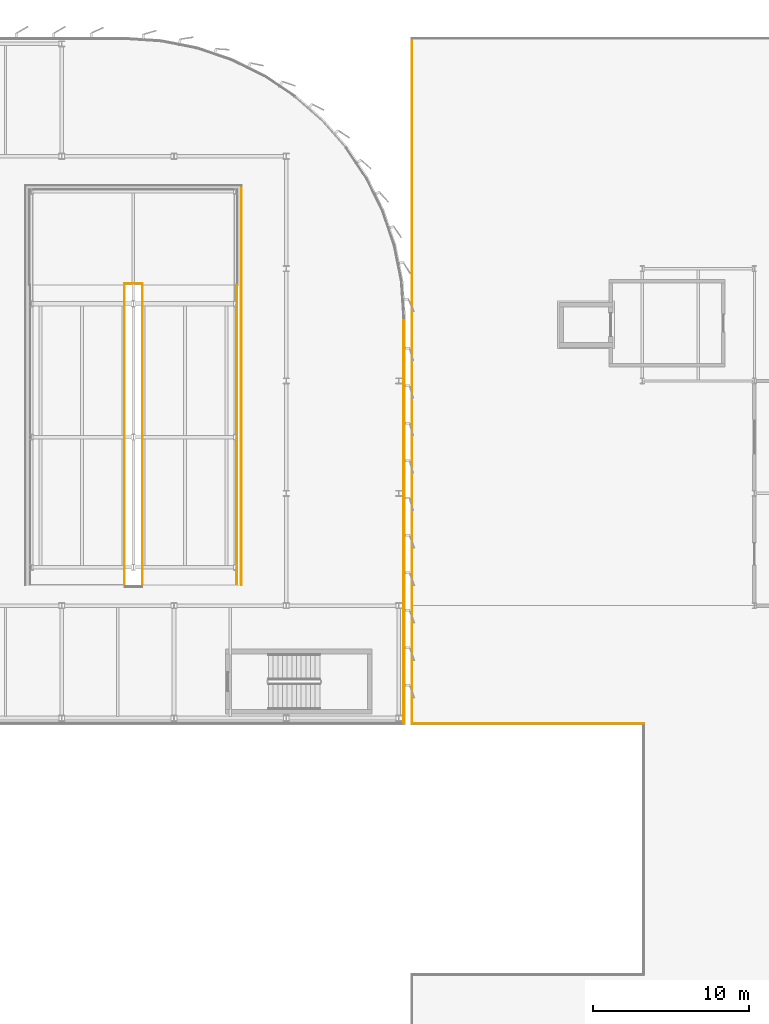
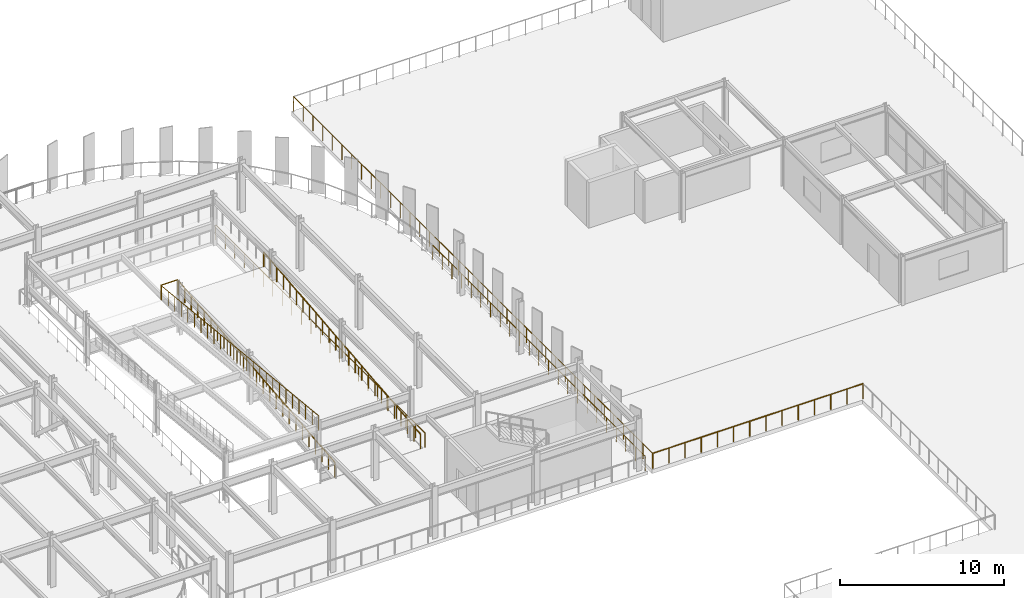
# One storey, part 51 of 52: 17 railings.
"""IFC4 building model written with IfcOpenShell, lengths in metres."""

from ifc_helpers import new_model, si_unit, direction, frame, origin, origin_2d, place, context, subcontext, project, spatial, circle, extrude, material, layer, layer_set, type_object, element, save


model = new_model("IFC4")

# Units and contexts
model_context = context("Model", 3, precision=1e-05, world=origin(), true_north=direction((0.0, 1.0)))
body_context = subcontext(model_context, "Body", "Model", "MODEL_VIEW")
ifc_project = project(units=[si_unit("LENGTHUNIT", "METRE"), si_unit("AREAUNIT", "SQUARE_METRE"), si_unit("VOLUMEUNIT", "CUBIC_METRE"), si_unit("PLANEANGLEUNIT", "RADIAN"), si_unit("MASSUNIT", "GRAM", prefix="KILO")], contexts=[model_context])

# Site, building, storey
site_placement = place(None, origin())
site = spatial("IfcSite", under=ifc_project, at=site_placement, CompositionType="ELEMENT")
building_placement = place(site_placement, origin())
building = spatial("IfcBuilding", under=site, at=building_placement, Name="Vaelcorin Mobility Hub", CompositionType="ELEMENT")
storey_placement = place(building_placement, frame((0.0, 0.0, 13.199951171875)))
storey = spatial("IfcBuildingStorey", under=building, at=storey_placement, Name="L03", CompositionType="ELEMENT", Elevation=13.199951171875)

# Railings
ifc_material_1 = material(Name="Galvanised structural steel ASTM A36", Category="steel")
ifc_layer_1 = layer(ifc_material_1, 0.070068359375)
ifc_layer_set_1 = layer_set([ifc_layer_1], Name="Galvanised structural steel ASTM A36")
railing_type_1 = type_object("IfcRailingType", Name="RL-GUARD-1100", PredefinedType="BALUSTRADE", material=ifc_layer_set_1)
railing_1_placement = place(storey_placement, frame((142.320068359375, 110.919921875, 0.0)))
element("IfcRailing", 1, at=railing_1_placement, inside=storey, type_object=railing_type_1, Name="L03 Perimeter Guard GR-V2E-L03-WELL-03", PredefinedType="BALUSTRADE", context=body_context, shape_type="SweptSolid", body=[
    extrude(circle(Radius=0.02392578125, at=origin_2d()), frame((0.0, 0.0, 1.076171875), z_axis=(0.0, -1.0, 0.0), x_axis=(1.0, 0.0, 0.0)), (0.0, 0.0, 1.0), 25.579833984375),
    extrude(circle(Radius=0.02099609375, at=origin_2d()), origin(), (0.0, 0.0, 1.0), 1.052001953125),
    extrude(circle(Radius=0.02099609375, at=origin_2d()), frame((0.0, -1.16259765625, 0.0)), (0.0, 0.0, 1.0), 1.052001953125),
    extrude(circle(Radius=0.02099609375, at=origin_2d()), frame((0.0, -2.325439453125, 0.0)), (0.0, 0.0, 1.0), 1.052001953125),
    extrude(circle(Radius=0.02099609375, at=origin_2d()), frame((0.0, -3.488037109375, 0.0)), (0.0, 0.0, 1.0), 1.052001953125),
    extrude(circle(Radius=0.02099609375, at=origin_2d()), frame((0.0, -4.65087890625, 0.0)), (0.0, 0.0, 1.0), 1.052001953125),
    extrude(circle(Radius=0.02099609375, at=origin_2d()), frame((0.0, -5.8134765625, 0.0)), (0.0, 0.0, 1.0), 1.052001953125),
    extrude(circle(Radius=0.02099609375, at=origin_2d()), frame((0.0, -6.976318359375, 0.0)), (0.0, 0.0, 1.0), 1.052001953125),
    extrude(circle(Radius=0.02099609375, at=origin_2d()), frame((0.0, -8.13916015625, 0.0)), (0.0, 0.0, 1.0), 1.052001953125),
    extrude(circle(Radius=0.02099609375, at=origin_2d()), frame((0.0, -9.3017578125, 0.0)), (0.0, 0.0, 1.0), 1.052001953125),
    extrude(circle(Radius=0.02099609375, at=origin_2d()), frame((0.0, -10.46435546875, 0.0)), (0.0, 0.0, 1.0), 1.052001953125),
    extrude(circle(Radius=0.02099609375, at=origin_2d()), frame((0.0, -11.627197265625, 0.0)), (0.0, 0.0, 1.0), 1.052001953125),
    extrude(circle(Radius=0.02099609375, at=origin_2d()), frame((0.0, -12.7900390625, 0.0)), (0.0, 0.0, 1.0), 1.052001953125),
    extrude(circle(Radius=0.02099609375, at=origin_2d()), frame((0.0, -13.95263671875, 0.0)), (0.0, 0.0, 1.0), 1.052001953125),
    extrude(circle(Radius=0.02099609375, at=origin_2d()), frame((0.0, -15.115234375, 0.0)), (0.0, 0.0, 1.0), 1.052001953125),
    extrude(circle(Radius=0.02099609375, at=origin_2d()), frame((0.0, -16.278076171875, 0.0)), (0.0, 0.0, 1.0), 1.052001953125),
    extrude(circle(Radius=0.02099609375, at=origin_2d()), frame((0.0, -17.44091796875, 0.0)), (0.0, 0.0, 1.0), 1.052001953125),
    extrude(circle(Radius=0.02099609375, at=origin_2d()), frame((0.0, -18.603515625, 0.0)), (0.0, 0.0, 1.0), 1.052001953125),
    extrude(circle(Radius=0.02099609375, at=origin_2d()), frame((0.0, -19.76611328125, 0.0)), (0.0, 0.0, 1.0), 1.052001953125),
    extrude(circle(Radius=0.02099609375, at=origin_2d()), frame((0.0, -20.928955078125, 0.0)), (0.0, 0.0, 1.0), 1.052001953125),
    extrude(circle(Radius=0.02099609375, at=origin_2d()), frame((0.0, -22.091796875, 0.0)), (0.0, 0.0, 1.0), 1.052001953125),
    extrude(circle(Radius=0.02099609375, at=origin_2d()), frame((0.0, -23.25439453125, 0.0)), (0.0, 0.0, 1.0), 1.052001953125),
    extrude(circle(Radius=0.02099609375, at=origin_2d()), frame((0.0, -24.4169921875, 0.0)), (0.0, 0.0, 1.0), 1.052001953125),
    extrude(circle(Radius=0.02099609375, at=origin_2d()), frame((0.0, -25.579833984375, 0.0)), (0.0, 0.0, 1.0), 1.052001953125),
])
railing_2_placement = place(storey_placement, frame((135.97998046875, 85.360107421875, 0.0)))
element("IfcRailing", 2, at=railing_2_placement, inside=storey, type_object=railing_type_1, Name="L03 Ramp Guard GR-V2E-L03-FL1-W-01", PredefinedType="BALUSTRADE", context=body_context, shape_type="SweptSolid", body=[
    extrude(circle(Radius=0.02392578125, at=origin_2d()), frame((0.0, 0.0, 1.076171875), z_axis=(0.0, 0.994860105467, 0.10125892825), x_axis=(-1.0, 0.0, 0.0)), (0.0, 0.0, 1.0), 4.819580078125),
    extrude(circle(Radius=0.02099609375, at=origin_2d()), origin(), (0.0, 0.0, 1.0), 1.052001953125),
    extrude(circle(Radius=0.02099609375, at=origin_2d()), frame((0.0, 0.799072265625, 0.081298828125)), (0.0, 0.0, 1.0), 1.052001953125),
    extrude(circle(Radius=0.02099609375, at=origin_2d()), frame((0.0, 1.598388671875, 0.16259765625)), (0.0, 0.0, 1.0), 1.052001953125),
    extrude(circle(Radius=0.02099609375, at=origin_2d()), frame((0.0, 2.3974609375, 0.244140625)), (0.0, 0.0, 1.0), 1.052001953125),
    extrude(circle(Radius=0.02099609375, at=origin_2d()), frame((0.0, 3.196533203125, 0.325439453125)), (0.0, 0.0, 1.0), 1.052001953125),
    extrude(circle(Radius=0.02099609375, at=origin_2d()), frame((0.0, 3.995849609375, 0.40673828125)), (0.0, 0.0, 1.0), 1.052001953125),
    extrude(circle(Radius=0.02099609375, at=origin_2d()), frame((0.0, 4.794921875, 0.488037109375)), (0.0, 0.0, 1.0), 1.052001953125),
])
railing_3_placement = place(storey_placement, frame((135.97998046875, 90.155029296875, 0.488037109375)))
element("IfcRailing", 3, at=railing_3_placement, inside=storey, type_object=railing_type_1, Name="L03 Ramp Guard GR-V2E-L03-FL1-W-02", PredefinedType="BALUSTRADE", context=body_context, shape_type="SweptSolid", body=[
    extrude(circle(Radius=0.02392578125, at=origin_2d()), frame((0.0, 0.0, 1.076171875), z_axis=(0.0, 0.994880497217, 0.101058380445), x_axis=(-1.0, 0.0, 0.0)), (0.0, 0.0, 1.0), 4.819580078125),
    extrude(circle(Radius=0.02099609375, at=origin_2d()), origin(), (0.0, 0.0, 1.0), 1.052001953125),
    extrude(circle(Radius=0.02099609375, at=origin_2d()), frame((0.0, 0.799072265625, 0.0810546875)), (0.0, 0.0, 1.0), 1.052001953125),
    extrude(circle(Radius=0.02099609375, at=origin_2d()), frame((0.0, 1.598388671875, 0.162353515625)), (0.0, 0.0, 1.0), 1.052001953125),
    extrude(circle(Radius=0.02099609375, at=origin_2d()), frame((0.0, 2.3974609375, 0.24365234375)), (0.0, 0.0, 1.0), 1.052001953125),
    extrude(circle(Radius=0.02099609375, at=origin_2d()), frame((0.0, 3.196533203125, 0.32470703125)), (0.0, 0.0, 1.0), 1.052001953125),
    extrude(circle(Radius=0.02099609375, at=origin_2d()), frame((0.0, 3.995849609375, 0.40576171875)), (0.0, 0.0, 1.0), 1.052001953125),
    extrude(circle(Radius=0.02099609375, at=origin_2d()), frame((0.0, 4.794921875, 0.487060546875)), (0.0, 0.0, 1.0), 1.052001953125),
])
railing_4_placement = place(storey_placement, frame((135.97998046875, 94.949951171875, 0.97509765625)))
element("IfcRailing", 4, at=railing_4_placement, inside=storey, type_object=railing_type_1, Name="L03 Ramp Guard GR-V2E-L03-FL1-W-03", PredefinedType="BALUSTRADE", context=body_context, shape_type="SweptSolid", body=[
    extrude(circle(Radius=0.02392578125, at=origin_2d()), frame((0.0, 0.0, 1.076171875), z_axis=(0.0, 0.994881014515, 0.101053287712), x_axis=(-1.0, 0.0, 0.0)), (0.0, 0.0, 1.0), 4.81982421875),
    extrude(circle(Radius=0.02099609375, at=origin_2d()), origin(), (0.0, 0.0, 1.0), 1.052001953125),
    extrude(circle(Radius=0.02099609375, at=origin_2d()), frame((0.0, 0.79931640625, 0.0810546875)), (0.0, 0.0, 1.0), 1.052001953125),
    extrude(circle(Radius=0.02099609375, at=origin_2d()), frame((0.0, 1.598388671875, 0.162353515625)), (0.0, 0.0, 1.0), 1.052001953125),
    extrude(circle(Radius=0.02099609375, at=origin_2d()), frame((0.0, 2.3974609375, 0.24365234375)), (0.0, 0.0, 1.0), 1.052001953125),
    extrude(circle(Radius=0.02099609375, at=origin_2d()), frame((0.0, 3.19677734375, 0.32470703125)), (0.0, 0.0, 1.0), 1.052001953125),
    extrude(circle(Radius=0.02099609375, at=origin_2d()), frame((0.0, 3.99609375, 0.40576171875)), (0.0, 0.0, 1.0), 1.052001953125),
    extrude(circle(Radius=0.02099609375, at=origin_2d()), frame((0.0, 4.795166015625, 0.487060546875)), (0.0, 0.0, 1.0), 1.052001953125),
])
railing_5_placement = place(storey_placement, frame((135.97998046875, 99.7451171875, 1.462158203125)))
element("IfcRailing", 5, at=railing_5_placement, inside=storey, type_object=railing_type_1, Name="L03 Ramp Guard GR-V2E-L03-FL1-W-04", PredefinedType="BALUSTRADE", context=body_context, shape_type="SweptSolid", body=[
    extrude(circle(Radius=0.02392578125, at=origin_2d()), frame((0.0, 0.0, 1.076171875), z_axis=(0.0, 0.994865207116, 0.101208792455), x_axis=(-1.0, 0.0, 0.0)), (0.0, 0.0, 1.0), 4.819580078125),
    extrude(circle(Radius=0.02099609375, at=origin_2d()), origin(), (0.0, 0.0, 1.0), 1.052001953125),
    extrude(circle(Radius=0.02099609375, at=origin_2d()), frame((0.0, 0.799072265625, 0.081298828125)), (0.0, 0.0, 1.0), 1.052001953125),
    extrude(circle(Radius=0.02099609375, at=origin_2d()), frame((0.0, 1.598388671875, 0.16259765625)), (0.0, 0.0, 1.0), 1.052001953125),
    extrude(circle(Radius=0.02099609375, at=origin_2d()), frame((0.0, 2.3974609375, 0.243896484375)), (0.0, 0.0, 1.0), 1.052001953125),
    extrude(circle(Radius=0.02099609375, at=origin_2d()), frame((0.0, 3.196533203125, 0.3251953125)), (0.0, 0.0, 1.0), 1.052001953125),
    extrude(circle(Radius=0.02099609375, at=origin_2d()), frame((0.0, 3.995849609375, 0.406494140625)), (0.0, 0.0, 1.0), 1.052001953125),
    extrude(circle(Radius=0.02099609375, at=origin_2d()), frame((0.0, 4.794921875, 0.48779296875)), (0.0, 0.0, 1.0), 1.052001953125),
])
railing_6_placement = place(storey_placement, frame((142.02001953125, 85.360107421875, 0.0)))
element("IfcRailing", 6, at=railing_6_placement, inside=storey, type_object=railing_type_1, Name="L03 Ramp Guard GR-V2E-L03-FL1-E-01", PredefinedType="BALUSTRADE", context=body_context, shape_type="SweptSolid", body=[
    extrude(circle(Radius=0.02392578125, at=origin_2d()), frame((0.0, 0.0, 1.076171875), z_axis=(0.0, 0.994860105467, 0.10125892825), x_axis=(-1.0, 0.0, 0.0)), (0.0, 0.0, 1.0), 4.819580078125),
    extrude(circle(Radius=0.02099609375, at=origin_2d()), origin(), (0.0, 0.0, 1.0), 1.052001953125),
    extrude(circle(Radius=0.02099609375, at=origin_2d()), frame((0.0, 0.799072265625, 0.081298828125)), (0.0, 0.0, 1.0), 1.052001953125),
    extrude(circle(Radius=0.02099609375, at=origin_2d()), frame((0.0, 1.598388671875, 0.16259765625)), (0.0, 0.0, 1.0), 1.052001953125),
    extrude(circle(Radius=0.02099609375, at=origin_2d()), frame((0.0, 2.3974609375, 0.244140625)), (0.0, 0.0, 1.0), 1.052001953125),
    extrude(circle(Radius=0.02099609375, at=origin_2d()), frame((0.0, 3.196533203125, 0.325439453125)), (0.0, 0.0, 1.0), 1.052001953125),
    extrude(circle(Radius=0.02099609375, at=origin_2d()), frame((0.0, 3.995849609375, 0.40673828125)), (0.0, 0.0, 1.0), 1.052001953125),
    extrude(circle(Radius=0.02099609375, at=origin_2d()), frame((0.0, 4.794921875, 0.488037109375)), (0.0, 0.0, 1.0), 1.052001953125),
])
railing_7_placement = place(storey_placement, frame((142.02001953125, 90.155029296875, 0.488037109375)))
element("IfcRailing", 7, at=railing_7_placement, inside=storey, type_object=railing_type_1, Name="L03 Ramp Guard GR-V2E-L03-FL1-E-02", PredefinedType="BALUSTRADE", context=body_context, shape_type="SweptSolid", body=[
    extrude(circle(Radius=0.02392578125, at=origin_2d()), frame((0.0, 0.0, 1.076171875), z_axis=(0.0, 0.994880497217, 0.101058380445), x_axis=(-1.0, 0.0, 0.0)), (0.0, 0.0, 1.0), 4.819580078125),
    extrude(circle(Radius=0.02099609375, at=origin_2d()), origin(), (0.0, 0.0, 1.0), 1.052001953125),
    extrude(circle(Radius=0.02099609375, at=origin_2d()), frame((0.0, 0.799072265625, 0.0810546875)), (0.0, 0.0, 1.0), 1.052001953125),
    extrude(circle(Radius=0.02099609375, at=origin_2d()), frame((0.0, 1.598388671875, 0.162353515625)), (0.0, 0.0, 1.0), 1.052001953125),
    extrude(circle(Radius=0.02099609375, at=origin_2d()), frame((0.0, 2.3974609375, 0.24365234375)), (0.0, 0.0, 1.0), 1.052001953125),
    extrude(circle(Radius=0.02099609375, at=origin_2d()), frame((0.0, 3.196533203125, 0.32470703125)), (0.0, 0.0, 1.0), 1.052001953125),
    extrude(circle(Radius=0.02099609375, at=origin_2d()), frame((0.0, 3.995849609375, 0.40576171875)), (0.0, 0.0, 1.0), 1.052001953125),
    extrude(circle(Radius=0.02099609375, at=origin_2d()), frame((0.0, 4.794921875, 0.487060546875)), (0.0, 0.0, 1.0), 1.052001953125),
])
railing_8_placement = place(storey_placement, frame((142.02001953125, 94.949951171875, 0.97509765625)))
element("IfcRailing", 8, at=railing_8_placement, inside=storey, type_object=railing_type_1, Name="L03 Ramp Guard GR-V2E-L03-FL1-E-03", PredefinedType="BALUSTRADE", context=body_context, shape_type="SweptSolid", body=[
    extrude(circle(Radius=0.02392578125, at=origin_2d()), frame((0.0, 0.0, 1.076171875), z_axis=(0.0, 0.994881014515, 0.101053287712), x_axis=(-1.0, 0.0, 0.0)), (0.0, 0.0, 1.0), 4.81982421875),
    extrude(circle(Radius=0.02099609375, at=origin_2d()), origin(), (0.0, 0.0, 1.0), 1.052001953125),
    extrude(circle(Radius=0.02099609375, at=origin_2d()), frame((0.0, 0.79931640625, 0.0810546875)), (0.0, 0.0, 1.0), 1.052001953125),
    extrude(circle(Radius=0.02099609375, at=origin_2d()), frame((0.0, 1.598388671875, 0.162353515625)), (0.0, 0.0, 1.0), 1.052001953125),
    extrude(circle(Radius=0.02099609375, at=origin_2d()), frame((0.0, 2.3974609375, 0.24365234375)), (0.0, 0.0, 1.0), 1.052001953125),
    extrude(circle(Radius=0.02099609375, at=origin_2d()), frame((0.0, 3.19677734375, 0.32470703125)), (0.0, 0.0, 1.0), 1.052001953125),
    extrude(circle(Radius=0.02099609375, at=origin_2d()), frame((0.0, 3.99609375, 0.40576171875)), (0.0, 0.0, 1.0), 1.052001953125),
    extrude(circle(Radius=0.02099609375, at=origin_2d()), frame((0.0, 4.795166015625, 0.487060546875)), (0.0, 0.0, 1.0), 1.052001953125),
])
railing_9_placement = place(storey_placement, frame((142.02001953125, 99.7451171875, 1.462158203125)))
element("IfcRailing", 9, at=railing_9_placement, inside=storey, type_object=railing_type_1, Name="L03 Ramp Guard GR-V2E-L03-FL1-E-04", PredefinedType="BALUSTRADE", context=body_context, shape_type="SweptSolid", body=[
    extrude(circle(Radius=0.02392578125, at=origin_2d()), frame((0.0, 0.0, 1.076171875), z_axis=(0.0, 0.994865207116, 0.101208792455), x_axis=(-1.0, 0.0, 0.0)), (0.0, 0.0, 1.0), 4.819580078125),
    extrude(circle(Radius=0.02099609375, at=origin_2d()), origin(), (0.0, 0.0, 1.0), 1.052001953125),
    extrude(circle(Radius=0.02099609375, at=origin_2d()), frame((0.0, 0.799072265625, 0.081298828125)), (0.0, 0.0, 1.0), 1.052001953125),
    extrude(circle(Radius=0.02099609375, at=origin_2d()), frame((0.0, 1.598388671875, 0.16259765625)), (0.0, 0.0, 1.0), 1.052001953125),
    extrude(circle(Radius=0.02099609375, at=origin_2d()), frame((0.0, 2.3974609375, 0.243896484375)), (0.0, 0.0, 1.0), 1.052001953125),
    extrude(circle(Radius=0.02099609375, at=origin_2d()), frame((0.0, 3.196533203125, 0.3251953125)), (0.0, 0.0, 1.0), 1.052001953125),
    extrude(circle(Radius=0.02099609375, at=origin_2d()), frame((0.0, 3.995849609375, 0.406494140625)), (0.0, 0.0, 1.0), 1.052001953125),
    extrude(circle(Radius=0.02099609375, at=origin_2d()), frame((0.0, 4.794921875, 0.48779296875)), (0.0, 0.0, 1.0), 1.052001953125),
])
railing_10_placement = place(storey_placement, frame((134.820068359375, 104.5400390625, 1.949951171875)))
element("IfcRailing", 10, at=railing_10_placement, inside=storey, type_object=railing_type_1, Name="L03 Ramp Guard GR-V2E-L03-FL2-E-01", PredefinedType="BALUSTRADE", context=body_context, shape_type="SweptSolid", body=[
    extrude(circle(Radius=0.02392578125, at=origin_2d()), frame((0.0, 0.0, 1.076171875), z_axis=(0.0, -0.994860105467, 0.10125892825), x_axis=(1.0, 0.0, 0.0)), (0.0, 0.0, 1.0), 4.819580078125),
    extrude(circle(Radius=0.02099609375, at=origin_2d()), origin(), (0.0, 0.0, 1.0), 1.052001953125),
    extrude(circle(Radius=0.02099609375, at=origin_2d()), frame((0.0, -0.799072265625, 0.081298828125)), (0.0, 0.0, 1.0), 1.052001953125),
    extrude(circle(Radius=0.02099609375, at=origin_2d()), frame((0.0, -1.598388671875, 0.16259765625)), (0.0, 0.0, 1.0), 1.052001953125),
    extrude(circle(Radius=0.02099609375, at=origin_2d()), frame((0.0, -2.3974609375, 0.244140625)), (0.0, 0.0, 1.0), 1.052001953125),
    extrude(circle(Radius=0.02099609375, at=origin_2d()), frame((0.0, -3.196533203125, 0.325439453125)), (0.0, 0.0, 1.0), 1.052001953125),
    extrude(circle(Radius=0.02099609375, at=origin_2d()), frame((0.0, -3.995849609375, 0.40673828125)), (0.0, 0.0, 1.0), 1.052001953125),
    extrude(circle(Radius=0.02099609375, at=origin_2d()), frame((0.0, -4.794921875, 0.488037109375)), (0.0, 0.0, 1.0), 1.052001953125),
])
railing_11_placement = place(storey_placement, frame((134.820068359375, 99.7451171875, 2.43798828125)))
element("IfcRailing", 11, at=railing_11_placement, inside=storey, type_object=railing_type_1, Name="L03 Ramp Guard GR-V2E-L03-FL2-E-02", PredefinedType="BALUSTRADE", context=body_context, shape_type="SweptSolid", body=[
    extrude(circle(Radius=0.02392578125, at=origin_2d()), frame((0.0, 0.0, 1.076171875), z_axis=(0.0, -0.994881014515, 0.101053287712), x_axis=(1.0, 0.0, 0.0)), (0.0, 0.0, 1.0), 4.81982421875),
    extrude(circle(Radius=0.02099609375, at=origin_2d()), origin(), (0.0, 0.0, 1.0), 1.052001953125),
    extrude(circle(Radius=0.02099609375, at=origin_2d()), frame((0.0, -0.79931640625, 0.0810546875)), (0.0, 0.0, 1.0), 1.052001953125),
    extrude(circle(Radius=0.02099609375, at=origin_2d()), frame((0.0, -1.598388671875, 0.162353515625)), (0.0, 0.0, 1.0), 1.052001953125),
    extrude(circle(Radius=0.02099609375, at=origin_2d()), frame((0.0, -2.3974609375, 0.24365234375)), (0.0, 0.0, 1.0), 1.052001953125),
    extrude(circle(Radius=0.02099609375, at=origin_2d()), frame((0.0, -3.19677734375, 0.32470703125)), (0.0, 0.0, 1.0), 1.052001953125),
    extrude(circle(Radius=0.02099609375, at=origin_2d()), frame((0.0, -3.99609375, 0.40576171875)), (0.0, 0.0, 1.0), 1.052001953125),
    extrude(circle(Radius=0.02099609375, at=origin_2d()), frame((0.0, -4.795166015625, 0.487060546875)), (0.0, 0.0, 1.0), 1.052001953125),
])
railing_12_placement = place(storey_placement, frame((134.820068359375, 94.949951171875, 2.925048828125)))
element("IfcRailing", 12, at=railing_12_placement, inside=storey, type_object=railing_type_1, Name="L03 Ramp Guard GR-V2E-L03-FL2-E-03", PredefinedType="BALUSTRADE", context=body_context, shape_type="SweptSolid", body=[
    extrude(circle(Radius=0.02392578125, at=origin_2d()), frame((0.0, 0.0, 1.076171875), z_axis=(0.0, -0.994880497217, 0.101058380445), x_axis=(1.0, 0.0, 0.0)), (0.0, 0.0, 1.0), 4.819580078125),
    extrude(circle(Radius=0.02099609375, at=origin_2d()), origin(), (0.0, 0.0, 1.0), 1.052001953125),
    extrude(circle(Radius=0.02099609375, at=origin_2d()), frame((0.0, -0.799072265625, 0.0810546875)), (0.0, 0.0, 1.0), 1.052001953125),
    extrude(circle(Radius=0.02099609375, at=origin_2d()), frame((0.0, -1.598388671875, 0.162353515625)), (0.0, 0.0, 1.0), 1.052001953125),
    extrude(circle(Radius=0.02099609375, at=origin_2d()), frame((0.0, -2.3974609375, 0.24365234375)), (0.0, 0.0, 1.0), 1.052001953125),
    extrude(circle(Radius=0.02099609375, at=origin_2d()), frame((0.0, -3.196533203125, 0.32470703125)), (0.0, 0.0, 1.0), 1.052001953125),
    extrude(circle(Radius=0.02099609375, at=origin_2d()), frame((0.0, -3.995849609375, 0.40576171875)), (0.0, 0.0, 1.0), 1.052001953125),
    extrude(circle(Radius=0.02099609375, at=origin_2d()), frame((0.0, -4.794921875, 0.487060546875)), (0.0, 0.0, 1.0), 1.052001953125),
])
railing_13_placement = place(storey_placement, frame((134.820068359375, 90.155029296875, 3.412109375)))
element("IfcRailing", 13, at=railing_13_placement, inside=storey, type_object=railing_type_1, Name="L03 Ramp Guard GR-V2E-L03-FL2-E-04", PredefinedType="BALUSTRADE", context=body_context, shape_type="SweptSolid", body=[
    extrude(circle(Radius=0.02392578125, at=origin_2d()), frame((0.0, 0.0, 1.076171875), z_axis=(0.0, -0.994860105467, 0.10125892825), x_axis=(1.0, 0.0, 0.0)), (0.0, 0.0, 1.0), 4.819580078125),
    extrude(circle(Radius=0.02099609375, at=origin_2d()), origin(), (0.0, 0.0, 1.0), 1.052001953125),
    extrude(circle(Radius=0.02099609375, at=origin_2d()), frame((0.0, -0.799072265625, 0.081298828125)), (0.0, 0.0, 1.0), 1.052001953125),
    extrude(circle(Radius=0.02099609375, at=origin_2d()), frame((0.0, -1.598388671875, 0.16259765625)), (0.0, 0.0, 1.0), 1.052001953125),
    extrude(circle(Radius=0.02099609375, at=origin_2d()), frame((0.0, -2.3974609375, 0.244140625)), (0.0, 0.0, 1.0), 1.052001953125),
    extrude(circle(Radius=0.02099609375, at=origin_2d()), frame((0.0, -3.196533203125, 0.325439453125)), (0.0, 0.0, 1.0), 1.052001953125),
    extrude(circle(Radius=0.02099609375, at=origin_2d()), frame((0.0, -3.995849609375, 0.40673828125)), (0.0, 0.0, 1.0), 1.052001953125),
    extrude(circle(Radius=0.02099609375, at=origin_2d()), frame((0.0, -4.794921875, 0.488037109375)), (0.0, 0.0, 1.0), 1.052001953125),
])
railing_14_placement = place(storey_placement, frame((134.820068359375, 104.639892578125, 1.949951171875)))
element("IfcRailing", 14, at=railing_14_placement, inside=storey, type_object=railing_type_1, Name="L03 Perimeter Guard GR-V2E-L03-LND-MED-01", PredefinedType="BALUSTRADE", context=body_context, shape_type="SweptSolid", body=[
    extrude(circle(Radius=0.02392578125, at=origin_2d()), frame((0.0, 0.0, 1.076171875), z_axis=(1.0, 0.0, 0.0), x_axis=(0.0, 1.0, 0.0)), (0.0, 0.0, 1.0), 1.159912109375),
    extrude(circle(Radius=0.02099609375, at=origin_2d()), origin(), (0.0, 0.0, 1.0), 1.052001953125),
    extrude(circle(Radius=0.02099609375, at=origin_2d()), frame((1.159912109375, 0.0, 0.0)), (0.0, 0.0, 1.0), 1.052001953125),
])
railing_15_placement = place(storey_placement, frame((152.72998046875, 102.449951171875, 0.0)))
element("IfcRailing", 15, at=railing_15_placement, inside=storey, type_object=railing_type_1, Name="L03 Perimeter Guard GR-V2E-L03-14", PredefinedType="BALUSTRADE", context=body_context, shape_type="SweptSolid", body=[
    extrude(circle(Radius=0.02392578125, at=origin_2d()), frame((0.0, 0.0, 1.076171875), z_axis=(0.0, -1.0, 0.0), x_axis=(1.0, 0.0, 0.0)), (0.0, 0.0, 1.0), 25.97998046875),
    extrude(circle(Radius=0.02099609375, at=origin_2d()), origin(), (0.0, 0.0, 1.0), 1.052001953125),
    extrude(circle(Radius=0.02099609375, at=origin_2d()), frame((0.0, -1.180908203125, 0.0)), (0.0, 0.0, 1.0), 1.052001953125),
    extrude(circle(Radius=0.02099609375, at=origin_2d()), frame((0.0, -2.36181640625, 0.0)), (0.0, 0.0, 1.0), 1.052001953125),
    extrude(circle(Radius=0.02099609375, at=origin_2d()), frame((0.0, -3.542724609375, 0.0)), (0.0, 0.0, 1.0), 1.052001953125),
    extrude(circle(Radius=0.02099609375, at=origin_2d()), frame((0.0, -4.7236328125, 0.0)), (0.0, 0.0, 1.0), 1.052001953125),
    extrude(circle(Radius=0.02099609375, at=origin_2d()), frame((0.0, -5.904541015625, 0.0)), (0.0, 0.0, 1.0), 1.052001953125),
    extrude(circle(Radius=0.02099609375, at=origin_2d()), frame((0.0, -7.08544921875, 0.0)), (0.0, 0.0, 1.0), 1.052001953125),
    extrude(circle(Radius=0.02099609375, at=origin_2d()), frame((0.0, -8.266357421875, 0.0)), (0.0, 0.0, 1.0), 1.052001953125),
    extrude(circle(Radius=0.02099609375, at=origin_2d()), frame((0.0, -9.447265625, 0.0)), (0.0, 0.0, 1.0), 1.052001953125),
    extrude(circle(Radius=0.02099609375, at=origin_2d()), frame((0.0, -10.628173828125, 0.0)), (0.0, 0.0, 1.0), 1.052001953125),
    extrude(circle(Radius=0.02099609375, at=origin_2d()), frame((0.0, -11.80908203125, 0.0)), (0.0, 0.0, 1.0), 1.052001953125),
    extrude(circle(Radius=0.02099609375, at=origin_2d()), frame((0.0, -12.989990234375, 0.0)), (0.0, 0.0, 1.0), 1.052001953125),
    extrude(circle(Radius=0.02099609375, at=origin_2d()), frame((0.0, -14.1708984375, 0.0)), (0.0, 0.0, 1.0), 1.052001953125),
    extrude(circle(Radius=0.02099609375, at=origin_2d()), frame((0.0, -15.351806640625, 0.0)), (0.0, 0.0, 1.0), 1.052001953125),
    extrude(circle(Radius=0.02099609375, at=origin_2d()), frame((0.0, -16.53271484375, 0.0)), (0.0, 0.0, 1.0), 1.052001953125),
    extrude(circle(Radius=0.02099609375, at=origin_2d()), frame((0.0, -17.713623046875, 0.0)), (0.0, 0.0, 1.0), 1.052001953125),
    extrude(circle(Radius=0.02099609375, at=origin_2d()), frame((0.0, -18.89453125, 0.0)), (0.0, 0.0, 1.0), 1.052001953125),
    extrude(circle(Radius=0.02099609375, at=origin_2d()), frame((0.0, -20.075439453125, 0.0)), (0.0, 0.0, 1.0), 1.052001953125),
    extrude(circle(Radius=0.02099609375, at=origin_2d()), frame((0.0, -21.25634765625, 0.0)), (0.0, 0.0, 1.0), 1.052001953125),
    extrude(circle(Radius=0.02099609375, at=origin_2d()), frame((0.0, -22.437255859375, 0.0)), (0.0, 0.0, 1.0), 1.052001953125),
    extrude(circle(Radius=0.02099609375, at=origin_2d()), frame((0.0, -23.6181640625, 0.0)), (0.0, 0.0, 1.0), 1.052001953125),
    extrude(circle(Radius=0.02099609375, at=origin_2d()), frame((0.0, -24.799072265625, 0.0)), (0.0, 0.0, 1.0), 1.052001953125),
    extrude(circle(Radius=0.02099609375, at=origin_2d()), frame((0.0, -25.97998046875, 0.0)), (0.0, 0.0, 1.0), 1.052001953125),
])
ifc_material_2 = material(Name="Anodised aluminium 6063-T6", Category="aluminium")
ifc_layer_2 = layer(ifc_material_2, 0.070068359375)
ifc_layer_set_2 = layer_set([ifc_layer_2], Name="Anodised aluminium 6063-T6")
railing_type_2 = type_object("IfcRailingType", Name="RL-GUARD-1150", PredefinedType="BALUSTRADE", material=ifc_layer_set_2)
railing_16_placement = place(storey_placement, frame((153.25, 120.35009765625, 0.0)))
element("IfcRailing", 16, at=railing_16_placement, inside=storey, type_object=railing_type_2, Name="L03 Perimeter Guard GR-L03-ROOFGARDEN-04", PredefinedType="BALUSTRADE", context=body_context, shape_type="SweptSolid", body=[
    extrude(circle(Radius=0.02392578125, at=origin_2d()), frame((0.0, 0.0, 1.1259765625), z_axis=(0.0, -1.0, 0.0), x_axis=(1.0, 0.0, 0.0)), (0.0, 0.0, 1.0), 43.900146484375),
    extrude(circle(Radius=0.02099609375, at=origin_2d()), origin(), (0.0, 0.0, 1.0), 1.101806640625),
    extrude(circle(Radius=0.02099609375, at=origin_2d()), frame((0.0, -1.1865234375, 0.0)), (0.0, 0.0, 1.0), 1.101806640625),
    extrude(circle(Radius=0.02099609375, at=origin_2d()), frame((0.0, -2.373046875, 0.0)), (0.0, 0.0, 1.0), 1.101806640625),
    extrude(circle(Radius=0.02099609375, at=origin_2d()), frame((0.0, -3.5595703125, 0.0)), (0.0, 0.0, 1.0), 1.101806640625),
    extrude(circle(Radius=0.02099609375, at=origin_2d()), frame((0.0, -4.745849609375, 0.0)), (0.0, 0.0, 1.0), 1.101806640625),
    extrude(circle(Radius=0.02099609375, at=origin_2d()), frame((0.0, -5.932373046875, 0.0)), (0.0, 0.0, 1.0), 1.101806640625),
    extrude(circle(Radius=0.02099609375, at=origin_2d()), frame((0.0, -7.118896484375, 0.0)), (0.0, 0.0, 1.0), 1.101806640625),
    extrude(circle(Radius=0.02099609375, at=origin_2d()), frame((0.0, -8.305419921875, 0.0)), (0.0, 0.0, 1.0), 1.101806640625),
    extrude(circle(Radius=0.02099609375, at=origin_2d()), frame((0.0, -9.491943359375, 0.0)), (0.0, 0.0, 1.0), 1.101806640625),
    extrude(circle(Radius=0.02099609375, at=origin_2d()), frame((0.0, -10.678466796875, 0.0)), (0.0, 0.0, 1.0), 1.101806640625),
    extrude(circle(Radius=0.02099609375, at=origin_2d()), frame((0.0, -11.864990234375, 0.0)), (0.0, 0.0, 1.0), 1.101806640625),
    extrude(circle(Radius=0.02099609375, at=origin_2d()), frame((0.0, -13.051513671875, 0.0)), (0.0, 0.0, 1.0), 1.101806640625),
    extrude(circle(Radius=0.02099609375, at=origin_2d()), frame((0.0, -14.23779296875, 0.0)), (0.0, 0.0, 1.0), 1.101806640625),
    extrude(circle(Radius=0.02099609375, at=origin_2d()), frame((0.0, -15.42431640625, 0.0)), (0.0, 0.0, 1.0), 1.101806640625),
    extrude(circle(Radius=0.02099609375, at=origin_2d()), frame((0.0, -16.61083984375, 0.0)), (0.0, 0.0, 1.0), 1.101806640625),
    extrude(circle(Radius=0.02099609375, at=origin_2d()), frame((0.0, -17.79736328125, 0.0)), (0.0, 0.0, 1.0), 1.101806640625),
    extrude(circle(Radius=0.02099609375, at=origin_2d()), frame((0.0, -18.98388671875, 0.0)), (0.0, 0.0, 1.0), 1.101806640625),
    extrude(circle(Radius=0.02099609375, at=origin_2d()), frame((0.0, -20.17041015625, 0.0)), (0.0, 0.0, 1.0), 1.101806640625),
    extrude(circle(Radius=0.02099609375, at=origin_2d()), frame((0.0, -21.35693359375, 0.0)), (0.0, 0.0, 1.0), 1.101806640625),
    extrude(circle(Radius=0.02099609375, at=origin_2d()), frame((0.0, -22.543212890625, 0.0)), (0.0, 0.0, 1.0), 1.101806640625),
    extrude(circle(Radius=0.02099609375, at=origin_2d()), frame((0.0, -23.729736328125, 0.0)), (0.0, 0.0, 1.0), 1.101806640625),
    extrude(circle(Radius=0.02099609375, at=origin_2d()), frame((0.0, -24.916259765625, 0.0)), (0.0, 0.0, 1.0), 1.101806640625),
    extrude(circle(Radius=0.02099609375, at=origin_2d()), frame((0.0, -26.102783203125, 0.0)), (0.0, 0.0, 1.0), 1.101806640625),
    extrude(circle(Radius=0.02099609375, at=origin_2d()), frame((0.0, -27.289306640625, 0.0)), (0.0, 0.0, 1.0), 1.101806640625),
    extrude(circle(Radius=0.02099609375, at=origin_2d()), frame((0.0, -28.475830078125, 0.0)), (0.0, 0.0, 1.0), 1.101806640625),
    extrude(circle(Radius=0.02099609375, at=origin_2d()), frame((0.0, -29.662353515625, 0.0)), (0.0, 0.0, 1.0), 1.101806640625),
    extrude(circle(Radius=0.02099609375, at=origin_2d()), frame((0.0, -30.8486328125, 0.0)), (0.0, 0.0, 1.0), 1.101806640625),
    extrude(circle(Radius=0.02099609375, at=origin_2d()), frame((0.0, -32.03515625, 0.0)), (0.0, 0.0, 1.0), 1.101806640625),
    extrude(circle(Radius=0.02099609375, at=origin_2d()), frame((0.0, -33.2216796875, 0.0)), (0.0, 0.0, 1.0), 1.101806640625),
    extrude(circle(Radius=0.02099609375, at=origin_2d()), frame((0.0, -34.408203125, 0.0)), (0.0, 0.0, 1.0), 1.101806640625),
    extrude(circle(Radius=0.02099609375, at=origin_2d()), frame((0.0, -35.5947265625, 0.0)), (0.0, 0.0, 1.0), 1.101806640625),
    extrude(circle(Radius=0.02099609375, at=origin_2d()), frame((0.0, -36.78125, 0.0)), (0.0, 0.0, 1.0), 1.101806640625),
    extrude(circle(Radius=0.02099609375, at=origin_2d()), frame((0.0, -37.9677734375, 0.0)), (0.0, 0.0, 1.0), 1.101806640625),
    extrude(circle(Radius=0.02099609375, at=origin_2d()), frame((0.0, -39.154296875, 0.0)), (0.0, 0.0, 1.0), 1.101806640625),
    extrude(circle(Radius=0.02099609375, at=origin_2d()), frame((0.0, -40.340576171875, 0.0)), (0.0, 0.0, 1.0), 1.101806640625),
    extrude(circle(Radius=0.02099609375, at=origin_2d()), frame((0.0, -41.527099609375, 0.0)), (0.0, 0.0, 1.0), 1.101806640625),
    extrude(circle(Radius=0.02099609375, at=origin_2d()), frame((0.0, -42.713623046875, 0.0)), (0.0, 0.0, 1.0), 1.101806640625),
    extrude(circle(Radius=0.02099609375, at=origin_2d()), frame((0.0, -43.900146484375, 0.0)), (0.0, 0.0, 1.0), 1.101806640625),
])
railing_17_placement = place(storey_placement, frame((153.25, 76.449951171875, 0.0)))
element("IfcRailing", 17, at=railing_17_placement, inside=storey, type_object=railing_type_2, Name="L03 Perimeter Guard GR-L03-ROOFGARDEN-05", PredefinedType="BALUSTRADE", context=body_context, shape_type="SweptSolid", body=[
    extrude(circle(Radius=0.02392578125, at=origin_2d()), frame((0.0, 0.0, 1.1259765625), z_axis=(1.0, 0.0, 0.0), x_axis=(0.0, 1.0, 0.0)), (0.0, 0.0, 1.0), 14.85009765625),
    extrude(circle(Radius=0.02099609375, at=origin_2d()), origin(), (0.0, 0.0, 1.0), 1.101806640625),
    extrude(circle(Radius=0.02099609375, at=origin_2d()), frame((1.142333984375, 0.0, 0.0)), (0.0, 0.0, 1.0), 1.101806640625),
    extrude(circle(Radius=0.02099609375, at=origin_2d()), frame((2.28466796875, 0.0, 0.0)), (0.0, 0.0, 1.0), 1.101806640625),
    extrude(circle(Radius=0.02099609375, at=origin_2d()), frame((3.427001953125, 0.0, 0.0)), (0.0, 0.0, 1.0), 1.101806640625),
    extrude(circle(Radius=0.02099609375, at=origin_2d()), frame((4.5693359375, 0.0, 0.0)), (0.0, 0.0, 1.0), 1.101806640625),
    extrude(circle(Radius=0.02099609375, at=origin_2d()), frame((5.711669921875, 0.0, 0.0)), (0.0, 0.0, 1.0), 1.101806640625),
    extrude(circle(Radius=0.02099609375, at=origin_2d()), frame((6.85400390625, 0.0, 0.0)), (0.0, 0.0, 1.0), 1.101806640625),
    extrude(circle(Radius=0.02099609375, at=origin_2d()), frame((7.99609375, 0.0, 0.0)), (0.0, 0.0, 1.0), 1.101806640625),
    extrude(circle(Radius=0.02099609375, at=origin_2d()), frame((9.138427734375, 0.0, 0.0)), (0.0, 0.0, 1.0), 1.101806640625),
    extrude(circle(Radius=0.02099609375, at=origin_2d()), frame((10.28076171875, 0.0, 0.0)), (0.0, 0.0, 1.0), 1.101806640625),
    extrude(circle(Radius=0.02099609375, at=origin_2d()), frame((11.423095703125, 0.0, 0.0)), (0.0, 0.0, 1.0), 1.101806640625),
    extrude(circle(Radius=0.02099609375, at=origin_2d()), frame((12.5654296875, 0.0, 0.0)), (0.0, 0.0, 1.0), 1.101806640625),
    extrude(circle(Radius=0.02099609375, at=origin_2d()), frame((13.707763671875, 0.0, 0.0)), (0.0, 0.0, 1.0), 1.101806640625),
    extrude(circle(Radius=0.02099609375, at=origin_2d()), frame((14.85009765625, 0.0, 0.0)), (0.0, 0.0, 1.0), 1.101806640625),
])

save(model, "model.ifc")
